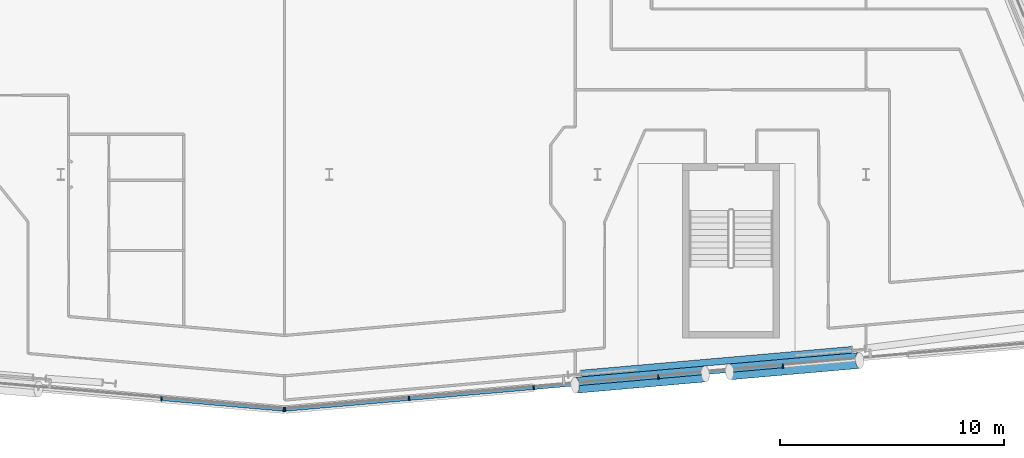
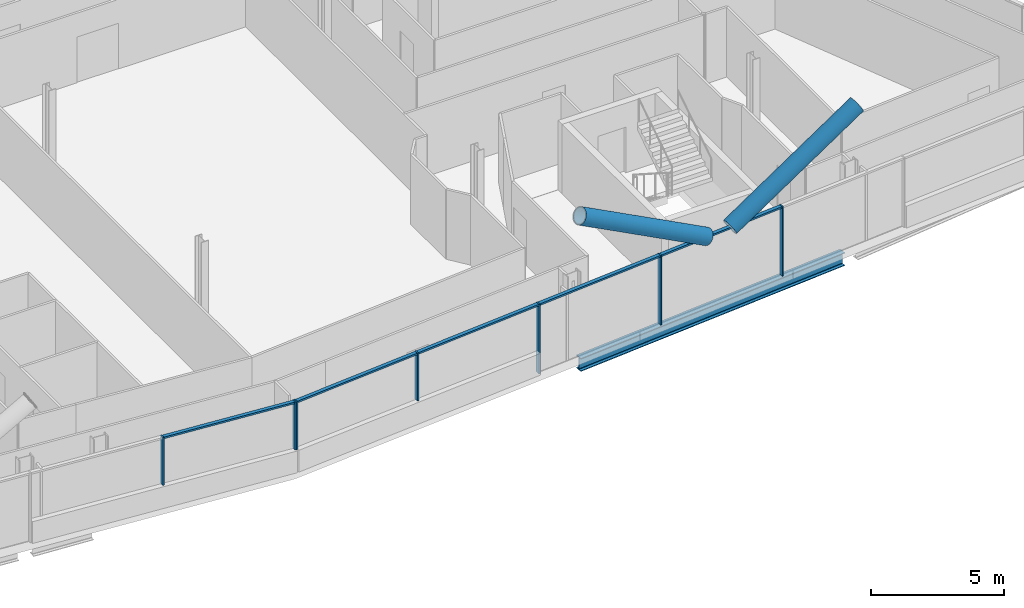
# One storey, part 8 of 28: 14 members, 1 beam, 2 elements without a shape of their own.
"""IFC4 building model written with IfcOpenShell, lengths in metres."""

from ifc_helpers import new_model, si_unit, direction, frame, origin, origin_2d, place, context, subcontext, project, spatial, rectangle, hollow_circle, i_section, extrude, material, material_profile, profile_set, type_object, element, aggregate, save


model = new_model("IFC4")

# Units and contexts
model_context = context("Model", 3, precision=1e-05, world=origin(), true_north=direction((0.0, 1.0)))
body_context = subcontext(model_context, "Body", "Model", "MODEL_VIEW")
ifc_project = project(units=[si_unit("LENGTHUNIT", "METRE"), si_unit("AREAUNIT", "SQUARE_METRE"), si_unit("VOLUMEUNIT", "CUBIC_METRE"), si_unit("PLANEANGLEUNIT", "RADIAN"), si_unit("MASSUNIT", "GRAM", prefix="KILO")], contexts=[model_context])

# Site, building, storey
site_placement = place(None, origin())
site = spatial("IfcSite", under=ifc_project, at=site_placement, CompositionType="ELEMENT")
building_placement = place(site_placement, origin())
building = spatial("IfcBuilding", under=site, at=building_placement, Name="Wharfspan Tower", CompositionType="ELEMENT")
storey_placement = place(building_placement, frame((0.0, 0.0, 187.899902)))
storey = spatial("IfcBuildingStorey", under=building, at=storey_placement, Name="L46", CompositionType="ELEMENT", Elevation=187.899902)

# Beam
ifc_material_1 = material(Name="Steel S355J2", Category="steel")
ifc_material_profile_1 = material_profile(ifc_material_1, i_section(OverallWidth=0.300049, OverallDepth=0.600098, WebThickness=0.015381, FlangeThickness=0.030029, FilletRadius=0.0271, at=origin_2d()))
ifc_profile_set_1 = profile_set([ifc_material_profile_1], Name="Steel S355J2")
beam_type = type_object("IfcBeamType", Name="Edge beam HEB 600", PredefinedType="SPANDREL", material=ifc_profile_set_1)
beam_placement = place(storey_placement, frame((59.265625, 2.600342, -0.699951), z_axis=(0.996195, 0.087155, 0.0), x_axis=(-0.087155, 0.996195, 0.0)))
element("IfcBeam", 1, at=beam_placement, inside=storey, type_object=beam_type, Name="Edge beam S2 L46 PS2.1 to PS2.2", PredefinedType="SPANDREL", context=body_context, shape_type="SweptSolid", body=[
    extrude(i_section(OverallWidth=0.300049, OverallDepth=0.600098, WebThickness=0.015381, FlangeThickness=0.030029, FilletRadius=0.0271, at=origin_2d()), origin(), (0.0, 0.0, 1.0), 12.137695),
])

# Curtain wall, members
ifc_material_2 = material(Name="Aluminium 6063-T6", Category="aluminium")
curtain_wall_type = type_object("IfcCurtainWallType", Name="CURTAIN WALL FACETED FRONT", PredefinedType="NOTDEFINED", material=ifc_material_2)
curtain_wall_1_placement = place(storey_placement, origin())
curtain_wall_1 = element("IfcCurtainWall", 2, at=curtain_wall_1_placement, inside=storey, type_object=curtain_wall_type, Name="Curtain wall S1", PredefinedType="NOTDEFINED")
ifc_material_profile_2 = material_profile(ifc_material_2, rectangle(XDim=0.199951, YDim=0.060059, at=origin_2d()))
ifc_profile_set_2 = profile_set([ifc_material_profile_2], Name="Aluminium 6063-T6")
member_type_1 = type_object("IfcMemberType", Name="MULLION FACETED FRONT 60x200", PredefinedType="MULLION", material=ifc_profile_set_2)
member_1_placement = place(storey_placement, frame((40.5, 1.469238, 1.0), z_axis=(0.0, 0.0, 1.0), x_axis=(0.087156, 0.996198, 0.0)))
member_1 = element("IfcMember", 3, at=member_1_placement, type_object=member_type_1, Name="Curtain wall S1 mullion 6", PredefinedType="MULLION", context=body_context, shape_type="SweptSolid", body=[
    extrude(rectangle(XDim=0.199951, YDim=0.060059, at=origin_2d()), origin(), (0.0, 0.0, 1.0), 2.200195),
])
member_2_placement = place(storey_placement, frame((45.970215, 0.990479, 1.0), z_axis=(0.0, 0.0, 1.0), x_axis=(0.087156, 0.996198, 0.0)))
member_2 = element("IfcMember", 4, at=member_2_placement, type_object=member_type_1, Name="Curtain wall S1 mullion 7", PredefinedType="MULLION", context=body_context, shape_type="SweptSolid", body=[
    extrude(rectangle(XDim=0.199951, YDim=0.060059, at=origin_2d()), origin(), (0.0, 0.0, 1.0), 2.200195),
])

curtain_wall_2_placement = place(storey_placement, origin())
curtain_wall_2 = element("IfcCurtainWall", 5, at=curtain_wall_2_placement, inside=storey, type_object=curtain_wall_type, Name="Curtain wall S2", PredefinedType="NOTDEFINED")
member_3_placement = place(storey_placement, frame((46.029785, 0.990479, 1.0), z_axis=(0.0, 0.0, 1.0), x_axis=(-0.087156, 0.996198, 0.0)))
member_3 = element("IfcMember", 6, at=member_3_placement, type_object=member_type_1, Name="Curtain wall S2 mullion 1", PredefinedType="MULLION", context=body_context, shape_type="SweptSolid", body=[
    extrude(rectangle(XDim=0.199951, YDim=0.060059, at=origin_2d()), origin(), (0.0, 0.0, 1.0), 2.200195),
])
member_4_placement = place(storey_placement, frame((51.571533, 1.475342, 1.0), z_axis=(0.0, 0.0, 1.0), x_axis=(-0.087156, 0.996198, 0.0)))
member_4 = element("IfcMember", 7, at=member_4_placement, type_object=member_type_1, Name="Curtain wall S2 mullion 2", PredefinedType="MULLION", context=body_context, shape_type="SweptSolid", body=[
    extrude(rectangle(XDim=0.199951, YDim=0.060059, at=origin_2d()), origin(), (0.0, 0.0, 1.0), 2.200195),
])
member_5_placement = place(storey_placement, frame((57.142822, 1.962891, 0.0), z_axis=(0.0, 0.0, 1.0), x_axis=(-0.087156, 0.996198, 0.0)))
member_5 = element("IfcMember", 8, at=member_5_placement, type_object=member_type_1, Name="Curtain wall S2 mullion 3", PredefinedType="MULLION", context=body_context, shape_type="SweptSolid", body=[
    extrude(rectangle(XDim=0.199951, YDim=0.060059, at=origin_2d()), origin(), (0.0, 0.0, 1.0), 3.200195),
])
member_6_placement = place(storey_placement, frame((62.714355, 2.450195, 0.0), z_axis=(0.0, 0.0, 1.0), x_axis=(-0.087156, 0.996198, 0.0)))
member_6 = element("IfcMember", 9, at=member_6_placement, type_object=member_type_1, Name="Curtain wall S2 mullion 4", PredefinedType="MULLION", context=body_context, shape_type="SweptSolid", body=[
    extrude(rectangle(XDim=0.199951, YDim=0.060059, at=origin_2d()), origin(), (0.0, 0.0, 1.0), 3.200195),
])
member_7_placement = place(storey_placement, frame((68.285645, 2.937744, 0.0), z_axis=(0.0, 0.0, 1.0), x_axis=(-0.087156, 0.996198, 0.0)))
member_7 = element("IfcMember", 10, at=member_7_placement, type_object=member_type_1, Name="Curtain wall S2 mullion 5", PredefinedType="MULLION", context=body_context, shape_type="SweptSolid", body=[
    extrude(rectangle(XDim=0.199951, YDim=0.060059, at=origin_2d()), origin(), (0.0, 0.0, 1.0), 3.200195),
])

# Members
ifc_material_3 = material(Name="Steel S460NH", Category="steel")
ifc_material_profile_3 = material_profile(ifc_material_3, hollow_circle(Radius=0.355469, WallThickness=0.035889, at=origin_2d()))
ifc_profile_set_3 = profile_set([ifc_material_profile_3], Name="Steel S460NH")
member_type_2 = type_object("IfcMemberType", Name="Mega brace CHS 711x36", PredefinedType="BRACE", material=ifc_profile_set_3)
member_8_placement = place(storey_placement, frame((65.897949, 2.673584, 3.207764), z_axis=(0.867451, 0.075879, 0.491702), x_axis=(-0.087142, 0.996197, 2e-06)))
element("IfcMember", 11, at=member_8_placement, inside=storey, type_object=member_type_2, Name="Mega brace S2 L46 part 2", PredefinedType="BRACE", context=body_context, shape_type="SweptSolid", body=[
    extrude(hollow_circle(Radius=0.355469, WallThickness=0.035889, at=origin_2d()), origin(), (0.0, 0.0, 1.0), 6.695557),
])
member_9_placement = place(storey_placement, frame((64.812744, 2.578613, 3.207764), z_axis=(-0.867442, -0.075882, 0.491717), x_axis=(0.087146, -0.996193, 2e-06)))
element("IfcMember", 12, at=member_9_placement, inside=storey, type_object=member_type_2, Name="Mega brace S2 L46 part 4", PredefinedType="BRACE", context=body_context, shape_type="SweptSolid", body=[
    extrude(hollow_circle(Radius=0.355469, WallThickness=0.035889, at=origin_2d()), origin(), (0.0, 0.0, 1.0), 6.695312),
])

# Member
ifc_material_profile_4 = material_profile(ifc_material_2, rectangle(XDim=0.159912, YDim=0.080078, at=origin_2d()))
ifc_profile_set_4 = profile_set([ifc_material_profile_4], Name="Aluminium 6063-T6")
member_type_3 = type_object("IfcMemberType", Name="TRANSOM FACETED FRONT 80x160", PredefinedType="USERDEFINED", material=ifc_profile_set_4)
member_10_placement = place(storey_placement, frame((40.529785, 1.466553, 3.160156), z_axis=(0.996194, -0.087163, 0.0), x_axis=(0.087163, 0.996194, 0.0)))
member_10 = element("IfcMember", 13, at=member_10_placement, type_object=member_type_3, Name="Curtain wall S1 transom 6", ObjectType="TRANSOM", PredefinedType="USERDEFINED", context=body_context, shape_type="SweptSolid", body=[
    extrude(rectangle(XDim=0.159912, YDim=0.080078, at=origin_2d()), origin(), (0.0, 0.0, 1.0), 5.431152),
])

aggregate(curtain_wall_1, [member_1, member_2, member_10])

member_11_placement = place(storey_placement, frame((46.059814, 0.993164, 3.160156), z_axis=(0.996196, 0.087139, 0.0), x_axis=(-0.087139, 0.996196, 0.0)))
member_11 = element("IfcMember", 14, at=member_11_placement, type_object=member_type_3, Name="Curtain wall S2 transom 1", ObjectType="TRANSOM", PredefinedType="USERDEFINED", context=body_context, shape_type="SweptSolid", body=[
    extrude(rectangle(XDim=0.159912, YDim=0.080078, at=origin_2d()), origin(), (0.0, 0.0, 1.0), 5.502686),
])

member_12_placement = place(storey_placement, frame((51.601318, 1.478027, 3.160156), z_axis=(0.996195, 0.087149, 0.0), x_axis=(-0.087149, 0.996195, 0.0)))
member_12 = element("IfcMember", 15, at=member_12_placement, type_object=member_type_3, Name="Curtain wall S2 transom 2", ObjectType="TRANSOM", PredefinedType="USERDEFINED", context=body_context, shape_type="SweptSolid", body=[
    extrude(rectangle(XDim=0.159912, YDim=0.080078, at=origin_2d()), origin(), (0.0, 0.0, 1.0), 5.532715),
])

member_13_placement = place(storey_placement, frame((57.172852, 1.965332, 3.160156), z_axis=(0.996191, 0.087197, 0.0), x_axis=(-0.087197, 0.996191, 0.0)))
member_13 = element("IfcMember", 16, at=member_13_placement, type_object=member_type_3, Name="Curtain wall S2 transom 3", ObjectType="TRANSOM", PredefinedType="USERDEFINED", context=body_context, shape_type="SweptSolid", body=[
    extrude(rectangle(XDim=0.159912, YDim=0.080078, at=origin_2d()), origin(), (0.0, 0.0, 1.0), 5.532471),
])

member_14_placement = place(storey_placement, frame((62.744141, 2.452881, 3.160156), z_axis=(0.996195, 0.087149, 0.0), x_axis=(-0.087149, 0.996195, 0.0)))
member_14 = element("IfcMember", 17, at=member_14_placement, type_object=member_type_3, Name="Curtain wall S2 transom 4", ObjectType="TRANSOM", PredefinedType="USERDEFINED", context=body_context, shape_type="SweptSolid", body=[
    extrude(rectangle(XDim=0.159912, YDim=0.080078, at=origin_2d()), origin(), (0.0, 0.0, 1.0), 5.532715),
])

aggregate(curtain_wall_2, [member_3, member_4, member_5, member_6, member_7, member_11, member_12, member_13, member_14])

save(model, "model.ifc")
